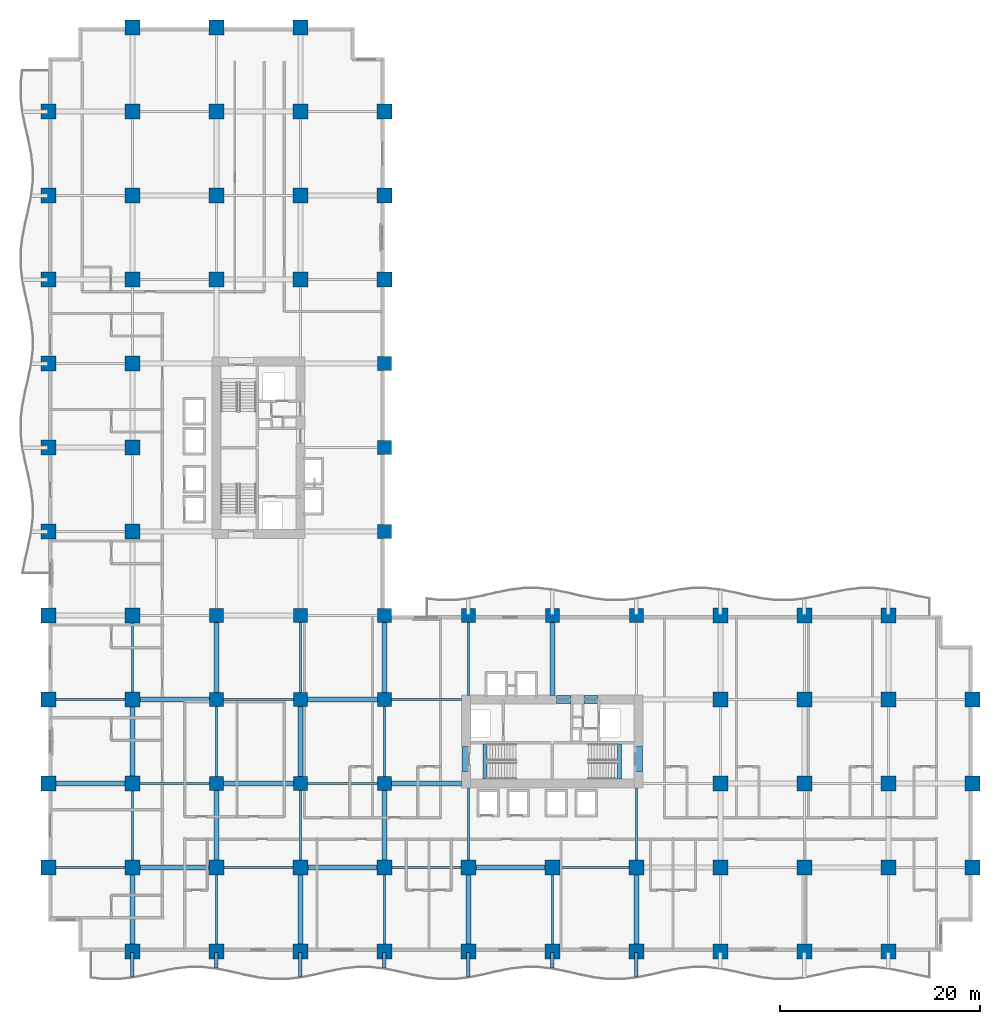
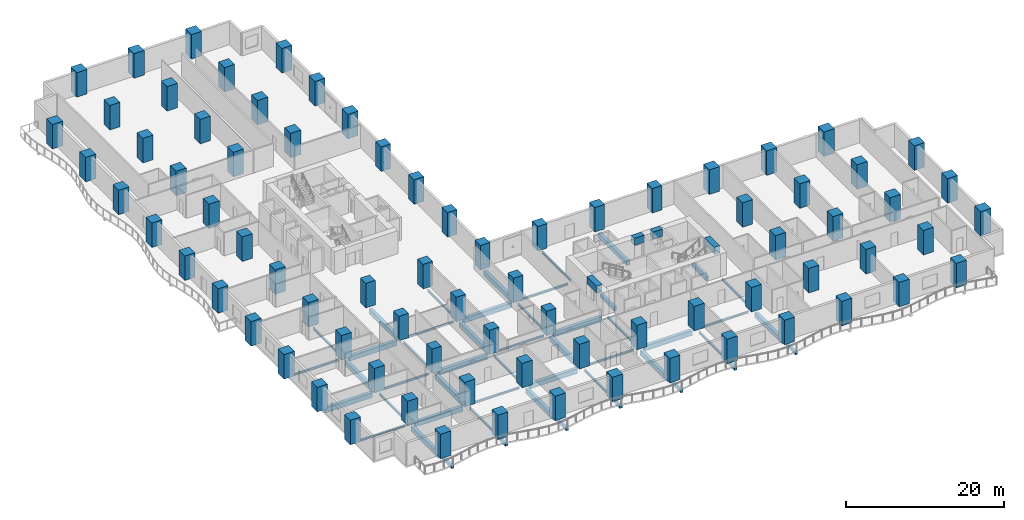
# One storey, part 1 of 22: 78 columns, 53 beams.
"""IFC4 building model written with IfcOpenShell, lengths in metres."""

from ifc_helpers import new_model, si_unit, direction, frame, origin, origin_2d, place, context, subcontext, project, spatial, rectangle, i_section, extrude, material, material_profile, profile_set, type_object, element, save


model = new_model("IFC4")

# Units and contexts
model_context = context("Model", 3, precision=1e-05, world=origin(), true_north=direction((0.0, 1.0)))
body_context = subcontext(model_context, "Body", "Model", "MODEL_VIEW")
ifc_project = project(units=[si_unit("LENGTHUNIT", "METRE"), si_unit("AREAUNIT", "SQUARE_METRE"), si_unit("VOLUMEUNIT", "CUBIC_METRE"), si_unit("PLANEANGLEUNIT", "RADIAN"), si_unit("MASSUNIT", "GRAM", prefix="KILO")], contexts=[model_context])

# Site, building, storey
site_placement = place(None, origin())
site = spatial("IfcSite", under=ifc_project, at=site_placement, CompositionType="ELEMENT")
building_placement = place(site_placement, origin())
building = spatial("IfcBuilding", under=site, at=building_placement, Name="Koriwani Terraces Tower", CompositionType="ELEMENT")
storey_placement = place(building_placement, frame((0.0, 0.0, 51.0)))
storey = spatial("IfcBuildingStorey", under=building, at=storey_placement, Name="L11", CompositionType="ELEMENT", Elevation=51.0)

# Columns
ifc_material_1 = material(Name="Concrete C60/75", Category="concrete")
ifc_material_profile_1 = material_profile(ifc_material_1, rectangle(XDim=1.39990234375, YDim=1.39990234375, at=origin_2d()), Name="Concrete C60/75", Category="LoadBearing")
ifc_profile_set_1 = profile_set([ifc_material_profile_1], Name="Concrete C60/75")
column_type_1 = type_object("IfcColumnType", Name="COL_RC_1400X1400", PredefinedType="COLUMN", material=ifc_profile_set_1)
for number, where, z_axis, x_axis, name in (
    (1, (16.800048828125, 16.800048828125, 0.0), (0.0, 0.0, 1.0), (1.0, 0.0, 0.0), "L11 Column 3/C"),
    (2, (16.800048828125, 25.199951171875, 0.0), (0.0, 0.0, 1.0), (1.0, 0.0, 0.0), "L11 Column 3/D"),
    (3, (16.800048828125, 33.60009765625, 0.0), (0.0, 0.0, 1.0), (1.0, 0.0, 0.0), "L11 Column 3/E"),
    (4, (25.199951171875, 16.800048828125, 0.0), (0.0, 0.0, 1.0), (1.0, 0.0, 0.0), "L11 Column 4/C"),
    (5, (25.199951171875, 25.199951171875, 0.0), (0.0, 0.0, 1.0), (1.0, 0.0, 0.0), "L11 Column 4/D"),
    (6, (25.199951171875, 33.60009765625, 0.0), (0.0, 0.0, 1.0), (1.0, 0.0, 0.0), "L11 Column 4/E"),
    (7, (33.60009765625, 16.800048828125, 0.0), (0.0, 0.0, 1.0), (1.0, 0.0, 0.0), "L11 Column 5/C"),
    (8, (33.60009765625, 25.199951171875, 0.0), (0.0, 0.0, 1.0), (1.0, 0.0, 0.0), "L11 Column 5/D"),
    (9, (33.60009765625, 33.60009765625, 0.0), (0.0, 0.0, 1.0), (1.0, 0.0, 0.0), "L11 Column 5/E"),
    (10, (33.60009765625, 42.0, 0.0), (0.0, 0.0, 1.0), (1.0, 0.0, 0.0), "L11 Column 5/F"),
    (11, (33.60009765625, 50.39990234375, 0.0), (0.0, 0.0, 1.0), (1.0, 0.0, 0.0), "L11 Column 5/G"),
    (12, (33.60009765625, 58.800048828125, 0.0), (0.0, 0.0, 1.0), (1.0, 0.0, 0.0), "L11 Column 5/H"),
    (13, (42.0, 33.60009765625, 0.0), (0.0, 0.0, 1.0), (1.0, 0.0, 0.0), "L11 Column 6/E"),
    (14, (50.39990234375, 33.60009765625, 0.0), (0.0, 0.0, 1.0), (1.0, 0.0, 0.0), "L11 Column 7/E"),
    (15, (58.800048828125, 33.60009765625, 0.0), (0.0, 0.0, 1.0), (1.0, 0.0, 0.0), "L11 Column 8/E"),
):
    element("IfcColumn", number, at=place(storey_placement, frame(where, z_axis=z_axis, x_axis=x_axis)), inside=storey, type_object=column_type_1, Name=name, PredefinedType="COLUMN", context=body_context, shape_type="SweptSolid", body=[
        extrude(rectangle(XDim=1.39990234375, YDim=1.39990234375, at=origin_2d()), origin(), (0.0, 0.0, 1.0), 3.800048828125),
    ])
ifc_material_profile_2 = material_profile(ifc_material_1, rectangle(XDim=1.5, YDim=1.5, at=origin_2d()), Name="Concrete C60/75", Category="LoadBearing")
ifc_profile_set_2 = profile_set([ifc_material_profile_2], Name="Concrete C60/75")
column_type_2 = type_object("IfcColumnType", Name="COL_RC_1500X1500", PredefinedType="COLUMN", material=ifc_profile_set_2)
for number, where, z_axis, x_axis, name in (
    (16, (0.0, 8.39990234375, 0.0), (0.0, 0.0, 1.0), (1.0, 0.0, 0.0), "L11 Column 1/B"),
    (17, (0.0, 16.800048828125, 0.0), (0.0, 0.0, 1.0), (1.0, 0.0, 0.0), "L11 Column 1/C"),
    (18, (0.0, 25.199951171875, 0.0), (0.0, 0.0, 1.0), (1.0, 0.0, 0.0), "L11 Column 1/D"),
    (19, (0.0, 33.60009765625, 0.0), (0.0, 0.0, 1.0), (1.0, 0.0, 0.0), "L11 Column 1/E"),
    (20, (0.0, 42.0, 0.0), (0.0, 0.0, 1.0), (1.0, 0.0, 0.0), "L11 Column 1/F"),
    (21, (0.0, 50.39990234375, 0.0), (0.0, 0.0, 1.0), (1.0, 0.0, 0.0), "L11 Column 1/G"),
    (22, (0.0, 58.800048828125, 0.0), (0.0, 0.0, 1.0), (1.0, 0.0, 0.0), "L11 Column 1/H"),
    (23, (0.0, 67.199951171875, 0.0), (0.0, 0.0, 1.0), (1.0, 0.0, 0.0), "L11 Column 1/I"),
    (24, (0.0, 75.60009765625, 0.0), (0.0, 0.0, 1.0), (1.0, 0.0, 0.0), "L11 Column 1/J"),
    (25, (0.0, 84.0, 0.0), (0.0, 0.0, 1.0), (1.0, 0.0, 0.0), "L11 Column 1/K"),
    (26, (8.39990234375, 0.0, 0.0), (0.0, 0.0, 1.0), (1.0, 0.0, 0.0), "L11 Column 2/A"),
    (27, (8.39990234375, 8.39990234375, 0.0), (0.0, 0.0, 1.0), (1.0, 0.0, 0.0), "L11 Column 2/B"),
    (28, (8.39990234375, 16.800048828125, 0.0), (0.0, 0.0, 1.0), (1.0, 0.0, 0.0), "L11 Column 2/C"),
    (29, (8.39990234375, 25.199951171875, 0.0), (0.0, 0.0, 1.0), (1.0, 0.0, 0.0), "L11 Column 2/D"),
    (30, (8.39990234375, 33.60009765625, 0.0), (0.0, 0.0, 1.0), (1.0, 0.0, 0.0), "L11 Column 2/E"),
    (31, (8.39990234375, 42.0, 0.0), (0.0, 0.0, 1.0), (1.0, 0.0, 0.0), "L11 Column 2/F"),
    (32, (8.39990234375, 50.39990234375, 0.0), (0.0, 0.0, 1.0), (1.0, 0.0, 0.0), "L11 Column 2/G"),
    (33, (8.39990234375, 58.800048828125, 0.0), (0.0, 0.0, 1.0), (1.0, 0.0, 0.0), "L11 Column 2/H"),
    (34, (8.39990234375, 67.199951171875, 0.0), (0.0, 0.0, 1.0), (1.0, 0.0, 0.0), "L11 Column 2/I"),
    (35, (8.39990234375, 75.60009765625, 0.0), (0.0, 0.0, 1.0), (1.0, 0.0, 0.0), "L11 Column 2/J"),
    (36, (8.39990234375, 84.0, 0.0), (0.0, 0.0, 1.0), (1.0, 0.0, 0.0), "L11 Column 2/K"),
    (37, (8.39990234375, 92.39990234375, 0.0), (0.0, 0.0, 1.0), (1.0, 0.0, 0.0), "L11 Column 2/L"),
    (38, (16.800048828125, 0.0, 0.0), (0.0, 0.0, 1.0), (1.0, 0.0, 0.0), "L11 Column 3/A"),
    (39, (16.800048828125, 8.39990234375, 0.0), (0.0, 0.0, 1.0), (1.0, 0.0, 0.0), "L11 Column 3/B"),
    (40, (16.800048828125, 67.199951171875, 0.0), (0.0, 0.0, 1.0), (1.0, 0.0, 0.0), "L11 Column 3/I"),
    (41, (16.800048828125, 75.60009765625, 0.0), (0.0, 0.0, 1.0), (1.0, 0.0, 0.0), "L11 Column 3/J"),
    (42, (16.800048828125, 84.0, 0.0), (0.0, 0.0, 1.0), (1.0, 0.0, 0.0), "L11 Column 3/K"),
    (43, (16.800048828125, 92.39990234375, 0.0), (0.0, 0.0, 1.0), (1.0, 0.0, 0.0), "L11 Column 3/L"),
    (44, (25.199951171875, 0.0, 0.0), (0.0, 0.0, 1.0), (1.0, 0.0, 0.0), "L11 Column 4/A"),
    (45, (25.199951171875, 8.39990234375, 0.0), (0.0, 0.0, 1.0), (1.0, 0.0, 0.0), "L11 Column 4/B"),
    (46, (25.199951171875, 67.199951171875, 0.0), (0.0, 0.0, 1.0), (1.0, 0.0, 0.0), "L11 Column 4/I"),
    (47, (25.199951171875, 75.60009765625, 0.0), (0.0, 0.0, 1.0), (1.0, 0.0, 0.0), "L11 Column 4/J"),
    (48, (25.199951171875, 84.0, 0.0), (0.0, 0.0, 1.0), (1.0, 0.0, 0.0), "L11 Column 4/K"),
    (49, (25.199951171875, 92.39990234375, 0.0), (0.0, 0.0, 1.0), (1.0, 0.0, 0.0), "L11 Column 4/L"),
    (50, (33.60009765625, 0.0, 0.0), (0.0, 0.0, 1.0), (1.0, 0.0, 0.0), "L11 Column 5/A"),
    (51, (33.60009765625, 8.39990234375, 0.0), (0.0, 0.0, 1.0), (1.0, 0.0, 0.0), "L11 Column 5/B"),
    (52, (33.60009765625, 67.199951171875, 0.0), (0.0, 0.0, 1.0), (1.0, 0.0, 0.0), "L11 Column 5/I"),
    (53, (33.60009765625, 75.60009765625, 0.0), (0.0, 0.0, 1.0), (1.0, 0.0, 0.0), "L11 Column 5/J"),
    (54, (33.60009765625, 84.0, 0.0), (0.0, 0.0, 1.0), (1.0, 0.0, 0.0), "L11 Column 5/K"),
    (55, (42.0, 0.0, 0.0), (0.0, 0.0, 1.0), (1.0, 0.0, 0.0), "L11 Column 6/A"),
    (56, (42.0, 8.39990234375, 0.0), (0.0, 0.0, 1.0), (1.0, 0.0, 0.0), "L11 Column 6/B"),
    (57, (50.39990234375, 0.0, 0.0), (0.0, 0.0, 1.0), (1.0, 0.0, 0.0), "L11 Column 7/A"),
    (58, (50.39990234375, 8.39990234375, 0.0), (0.0, 0.0, 1.0), (1.0, 0.0, 0.0), "L11 Column 7/B"),
    (59, (58.800048828125, 0.0, 0.0), (0.0, 0.0, 1.0), (1.0, 0.0, 0.0), "L11 Column 8/A"),
    (60, (58.800048828125, 8.39990234375, 0.0), (0.0, 0.0, 1.0), (1.0, 0.0, 0.0), "L11 Column 8/B"),
    (61, (67.199951171875, 0.0, 0.0), (0.0, 0.0, 1.0), (1.0, 0.0, 0.0), "L11 Column 9/A"),
    (62, (67.199951171875, 8.39990234375, 0.0), (0.0, 0.0, 1.0), (1.0, 0.0, 0.0), "L11 Column 9/B"),
    (63, (67.199951171875, 16.800048828125, 0.0), (0.0, 0.0, 1.0), (1.0, 0.0, 0.0), "L11 Column 9/C"),
    (64, (67.199951171875, 25.199951171875, 0.0), (0.0, 0.0, 1.0), (1.0, 0.0, 0.0), "L11 Column 9/D"),
    (65, (67.199951171875, 33.60009765625, 0.0), (0.0, 0.0, 1.0), (1.0, 0.0, 0.0), "L11 Column 9/E"),
    (66, (75.60009765625, 0.0, 0.0), (0.0, 0.0, 1.0), (1.0, 0.0, 0.0), "L11 Column 10/A"),
    (67, (75.60009765625, 8.39990234375, 0.0), (0.0, 0.0, 1.0), (1.0, 0.0, 0.0), "L11 Column 10/B"),
    (68, (75.60009765625, 16.800048828125, 0.0), (0.0, 0.0, 1.0), (1.0, 0.0, 0.0), "L11 Column 10/C"),
    (69, (75.60009765625, 25.199951171875, 0.0), (0.0, 0.0, 1.0), (1.0, 0.0, 0.0), "L11 Column 10/D"),
    (70, (75.60009765625, 33.60009765625, 0.0), (0.0, 0.0, 1.0), (1.0, 0.0, 0.0), "L11 Column 10/E"),
    (71, (84.0, 0.0, 0.0), (0.0, 0.0, 1.0), (1.0, 0.0, 0.0), "L11 Column 11/A"),
    (72, (84.0, 8.39990234375, 0.0), (0.0, 0.0, 1.0), (1.0, 0.0, 0.0), "L11 Column 11/B"),
    (73, (84.0, 16.800048828125, 0.0), (0.0, 0.0, 1.0), (1.0, 0.0, 0.0), "L11 Column 11/C"),
    (74, (84.0, 25.199951171875, 0.0), (0.0, 0.0, 1.0), (1.0, 0.0, 0.0), "L11 Column 11/D"),
    (75, (84.0, 33.60009765625, 0.0), (0.0, 0.0, 1.0), (1.0, 0.0, 0.0), "L11 Column 11/E"),
    (76, (92.39990234375, 8.39990234375, 0.0), (0.0, 0.0, 1.0), (1.0, 0.0, 0.0), "L11 Column 12/B"),
    (77, (92.39990234375, 16.800048828125, 0.0), (0.0, 0.0, 1.0), (1.0, 0.0, 0.0), "L11 Column 12/C"),
    (78, (92.39990234375, 25.199951171875, 0.0), (0.0, 0.0, 1.0), (1.0, 0.0, 0.0), "L11 Column 12/D"),
):
    element("IfcColumn", number, at=place(storey_placement, frame(where, z_axis=z_axis, x_axis=x_axis)), inside=storey, type_object=column_type_2, Name=name, PredefinedType="COLUMN", context=body_context, shape_type="SweptSolid", body=[
        extrude(rectangle(XDim=1.5, YDim=1.5, at=origin_2d()), origin(), (0.0, 0.0, 1.0), 3.800048828125),
    ])

# Beams
ifc_material_2 = material(Name="Concrete C40/50", Category="concrete")
ifc_material_profile_3 = material_profile(ifc_material_2, rectangle(XDim=0.35009765625, YDim=0.449951171875, at=origin_2d()), Name="Concrete C40/50", Category="LoadBearing")
ifc_profile_set_3 = profile_set([ifc_material_profile_3], Name="Concrete C40/50")
beam_type_1 = type_object("IfcBeamType", Name="BEAM_RC_BALCONY_RIB_350X450", PredefinedType="JOIST", material=ifc_profile_set_3)
beam_1_placement = place(storey_placement, frame((8.39990234375, -2.516845703125, -0.47509765625), z_axis=(0.0, 1.0, 0.0), x_axis=(-1.0, 0.0, 0.0)))
element("IfcBeam", 79, at=beam_1_placement, inside=storey, type_object=beam_type_1, Name="L11 Balcony Bracket Rib S-1", PredefinedType="JOIST", context=body_context, shape_type="SweptSolid", body=[
    extrude(rectangle(XDim=0.35009765625, YDim=0.449951171875, at=origin_2d()), origin(), (0.0, 0.0, 1.0), 2.416748046875),
])
beam_2_placement = place(storey_placement, frame((16.800048828125, -1.633056640625, -0.47509765625), z_axis=(0.0, 1.0, 0.0), x_axis=(-1.0, 0.0, 0.0)))
element("IfcBeam", 80, at=beam_2_placement, inside=storey, type_object=beam_type_1, Name="L11 Balcony Bracket Rib S-2", PredefinedType="JOIST", context=body_context, shape_type="SweptSolid", body=[
    extrude(rectangle(XDim=0.35009765625, YDim=0.449951171875, at=origin_2d()), origin(), (0.0, 0.0, 1.0), 1.532958984375),
])
beam_3_placement = place(storey_placement, frame((25.199951171875, -2.516845703125, -0.47509765625), z_axis=(0.0, 1.0, 0.0), x_axis=(-1.0, 0.0, 0.0)))
element("IfcBeam", 81, at=beam_3_placement, inside=storey, type_object=beam_type_1, Name="L11 Balcony Bracket Rib S-3", PredefinedType="JOIST", context=body_context, shape_type="SweptSolid", body=[
    extrude(rectangle(XDim=0.35009765625, YDim=0.449951171875, at=origin_2d()), origin(), (0.0, 0.0, 1.0), 2.416748046875),
])
beam_4_placement = place(storey_placement, frame((33.60009765625, -1.633056640625, -0.47509765625), z_axis=(0.0, 1.0, 0.0), x_axis=(-1.0, 0.0, 0.0)))
element("IfcBeam", 82, at=beam_4_placement, inside=storey, type_object=beam_type_1, Name="L11 Balcony Bracket Rib S-4", PredefinedType="JOIST", context=body_context, shape_type="SweptSolid", body=[
    extrude(rectangle(XDim=0.35009765625, YDim=0.449951171875, at=origin_2d()), origin(), (0.0, 0.0, 1.0), 1.532958984375),
])
beam_5_placement = place(storey_placement, frame((42.0, -2.516845703125, -0.47509765625), z_axis=(0.0, 1.0, 0.0), x_axis=(-1.0, 0.0, 0.0)))
element("IfcBeam", 83, at=beam_5_placement, inside=storey, type_object=beam_type_1, Name="L11 Balcony Bracket Rib S-5", PredefinedType="JOIST", context=body_context, shape_type="SweptSolid", body=[
    extrude(rectangle(XDim=0.35009765625, YDim=0.449951171875, at=origin_2d()), origin(), (0.0, 0.0, 1.0), 2.416748046875),
])
beam_6_placement = place(storey_placement, frame((50.39990234375, -1.633056640625, -0.47509765625), z_axis=(0.0, 1.0, 0.0), x_axis=(-1.0, 0.0, 0.0)))
element("IfcBeam", 84, at=beam_6_placement, inside=storey, type_object=beam_type_1, Name="L11 Balcony Bracket Rib S-6", PredefinedType="JOIST", context=body_context, shape_type="SweptSolid", body=[
    extrude(rectangle(XDim=0.35009765625, YDim=0.449951171875, at=origin_2d()), origin(), (0.0, 0.0, 1.0), 1.532958984375),
])
beam_7_placement = place(storey_placement, frame((58.800048828125, -2.516845703125, -0.47509765625), z_axis=(0.0, 1.0, 0.0), x_axis=(-1.0, 0.0, 0.0)))
element("IfcBeam", 85, at=beam_7_placement, inside=storey, type_object=beam_type_1, Name="L11 Balcony Bracket Rib S-7", PredefinedType="JOIST", context=body_context, shape_type="SweptSolid", body=[
    extrude(rectangle(XDim=0.35009765625, YDim=0.449951171875, at=origin_2d()), origin(), (0.0, 0.0, 1.0), 2.416748046875),
])
ifc_material_profile_4 = material_profile(ifc_material_1, rectangle(XDim=0.800048828125, YDim=1.10009765625, at=origin_2d()), Name="Concrete C60/75", Category="LoadBearing")
ifc_profile_set_4 = profile_set([ifc_material_profile_4], Name="Concrete C60/75")
beam_type_2 = type_object("IfcBeamType", Name="BEAM_RC_COUPLING_800X1100", PredefinedType="LINTEL", material=ifc_profile_set_4)
beam_8_placement = place(storey_placement, frame((50.800048828125, 25.199951171875, 3.0), z_axis=(1.0, 0.0, 0.0), x_axis=(0.0, 1.0, 0.0)))
element("IfcBeam", 86, at=beam_8_placement, inside=storey, type_object=beam_type_2, Name="L11 Core Coupling Lintel Beam EN1", PredefinedType="LINTEL", context=body_context, shape_type="SweptSolid", body=[
    extrude(rectangle(XDim=0.800048828125, YDim=1.10009765625, at=origin_2d()), origin(), (0.0, 0.0, 1.0), 1.47998046875),
])
beam_9_placement = place(storey_placement, frame((53.550048828125, 25.199951171875, 3.0), z_axis=(1.0, 0.0, 0.0), x_axis=(0.0, 1.0, 0.0)))
element("IfcBeam", 87, at=beam_9_placement, inside=storey, type_object=beam_type_2, Name="L11 Core Coupling Lintel Beam EN2", PredefinedType="LINTEL", context=body_context, shape_type="SweptSolid", body=[
    extrude(rectangle(XDim=0.800048828125, YDim=1.10009765625, at=origin_2d()), origin(), (0.0, 0.0, 1.0), 1.39990234375),
])
for number, where, z_axis, x_axis, name in (
    (88, (41.75, 18.0, 3.0), (0.0, 1.0, 0.0), (-1.0, 0.0, 0.0), "L11 Core Coupling Lintel Beam EW"),
    (89, (59.0, 18.0, 3.0), (0.0, 1.0, 0.0), (-1.0, 0.0, 0.0), "L11 Core Coupling Lintel Beam EE"),
):
    element("IfcBeam", number, at=place(storey_placement, frame(where, z_axis=z_axis, x_axis=x_axis)), inside=storey, type_object=beam_type_2, Name=name, PredefinedType="LINTEL", context=body_context, shape_type="SweptSolid", body=[
        extrude(rectangle(XDim=0.800048828125, YDim=1.10009765625, at=origin_2d()), origin(), (0.0, 0.0, 1.0), 2.5),
    ])
ifc_material_profile_5 = material_profile(ifc_material_2, rectangle(XDim=0.39990234375, YDim=0.60009765625, at=origin_2d()), Name="Concrete C40/50", Category="LoadBearing")
ifc_profile_set_5 = profile_set([ifc_material_profile_5], Name="Concrete C40/50")
beam_type_3 = type_object("IfcBeamType", Name="BEAM_RC_GRID_400X600", PredefinedType="BEAM", material=ifc_profile_set_5)
for number, where, z_axis, x_axis, name in (
    (90, (43.655029296875, 17.25, -0.300048828125), (0.0, 1.0, 0.0), (-1.0, 0.0, 0.0), "L11 Stairwell Header Trimmer Beam ST-E1"),
    (91, (57.094970703125, 17.25, -0.300048828125), (0.0, 1.0, 0.0), (-1.0, 0.0, 0.0), "L11 Stairwell Header Trimmer Beam ST-E2"),
):
    element("IfcBeam", number, at=place(storey_placement, frame(where, z_axis=z_axis, x_axis=x_axis)), inside=storey, type_object=beam_type_3, Name=name, PredefinedType="BEAM", context=body_context, shape_type="SweptSolid", body=[
        extrude(rectangle(XDim=0.39990234375, YDim=0.60009765625, at=origin_2d()), origin(), (0.0, 0.0, 1.0), 3.5),
    ])
ifc_material_3 = material(Name="Concrete C50/60", Category="concrete")
ifc_material_profile_6 = material_profile(ifc_material_3, rectangle(XDim=0.5, YDim=0.75, at=origin_2d()), Name="Concrete C50/60", Category="LoadBearing")
ifc_profile_set_6 = profile_set([ifc_material_profile_6], Name="Concrete C50/60")
beam_type_4 = type_object("IfcBeamType", Name="BEAM_RC_GRID_500X750", PredefinedType="BEAM", material=ifc_profile_set_6)
for number, where, z_axis, x_axis, name in (
    (92, (9.1298828125, 8.39990234375, -0.625), (1.0, 0.0, 0.0), (0.0, 1.0, 0.0), "L11 Grid Beam B (8.4-16.8m)"),
    (93, (25.929931640625, 8.39990234375, -0.625), (1.0, 0.0, 0.0), (0.0, 1.0, 0.0), "L11 Grid Beam B (25.2-33.6m)"),
):
    element("IfcBeam", number, at=place(storey_placement, frame(where, z_axis=z_axis, x_axis=x_axis)), inside=storey, type_object=beam_type_4, Name=name, PredefinedType="BEAM", context=body_context, shape_type="SweptSolid", body=[
        extrude(rectangle(XDim=0.5, YDim=0.75, at=origin_2d()), origin(), (0.0, 0.0, 1.0), 6.940185546875),
    ])
for number, where, z_axis, x_axis, name in (
    (94, (42.72998046875, 8.39990234375, -0.625), (1.0, 0.0, 0.0), (0.0, 1.0, 0.0), "L11 Grid Beam B (42.0-50.4m)"),
    (95, (0.72998046875, 16.800048828125, -0.625), (1.0, 0.0, 0.0), (0.0, 1.0, 0.0), "L11 Grid Beam C (0.0-8.4m)"),
):
    element("IfcBeam", number, at=place(storey_placement, frame(where, z_axis=z_axis, x_axis=x_axis)), inside=storey, type_object=beam_type_4, Name=name, PredefinedType="BEAM", context=body_context, shape_type="SweptSolid", body=[
        extrude(rectangle(XDim=0.5, YDim=0.75, at=origin_2d()), origin(), (0.0, 0.0, 1.0), 6.93994140625),
    ])
for number, where, z_axis, x_axis, name in (
    (96, (17.47998046875, 16.800048828125, -0.625), (1.0, 0.0, 0.0), (0.0, 1.0, 0.0), "L11 Grid Beam C (16.8-25.2m)"),
    (97, (34.280029296875, 16.800048828125, -0.625), (1.0, 0.0, 0.0), (0.0, 1.0, 0.0), "L11 Grid Beam C (33.6-42.0m)"),
):
    element("IfcBeam", number, at=place(storey_placement, frame(where, z_axis=z_axis, x_axis=x_axis)), inside=storey, type_object=beam_type_4, Name=name, PredefinedType="BEAM", context=body_context, shape_type="SweptSolid", body=[
        extrude(rectangle(XDim=0.5, YDim=0.75, at=origin_2d()), origin(), (0.0, 0.0, 1.0), 7.0400390625),
    ])
beam_10_placement = place(storey_placement, frame((9.1298828125, 25.199951171875, -0.625), z_axis=(1.0, 0.0, 0.0), x_axis=(0.0, 1.0, 0.0)))
element("IfcBeam", 98, at=beam_10_placement, inside=storey, type_object=beam_type_4, Name="L11 Grid Beam D (8.4-16.8m)", PredefinedType="BEAM", context=body_context, shape_type="SweptSolid", body=[
    extrude(rectangle(XDim=0.5, YDim=0.75, at=origin_2d()), origin(), (0.0, 0.0, 1.0), 6.990234375),
])
beam_11_placement = place(storey_placement, frame((25.8798828125, 25.199951171875, -0.625), z_axis=(1.0, 0.0, 0.0), x_axis=(0.0, 1.0, 0.0)))
element("IfcBeam", 99, at=beam_11_placement, inside=storey, type_object=beam_type_4, Name="L11 Grid Beam D (25.2-33.6m)", PredefinedType="BEAM", context=body_context, shape_type="SweptSolid", body=[
    extrude(rectangle(XDim=0.5, YDim=0.75, at=origin_2d()), origin(), (0.0, 0.0, 1.0), 7.0400390625),
])
for number, where, z_axis, x_axis, name in (
    (100, (8.39990234375, 0.72998046875, -0.625), (0.0, 1.0, 0.0), (-1.0, 0.0, 0.0), "L11 Grid Beam 2 (0.0-8.4m)"),
    (101, (8.39990234375, 17.530029296875, -0.625), (0.0, 1.0, 0.0), (-1.0, 0.0, 0.0), "L11 Grid Beam 2 (16.8-25.2m)"),
):
    element("IfcBeam", number, at=place(storey_placement, frame(where, z_axis=z_axis, x_axis=x_axis)), inside=storey, type_object=beam_type_4, Name=name, PredefinedType="BEAM", context=body_context, shape_type="SweptSolid", body=[
        extrude(rectangle(XDim=0.5, YDim=0.75, at=origin_2d()), origin(), (0.0, 0.0, 1.0), 6.93994140625),
    ])
beam_12_placement = place(storey_placement, frame((16.800048828125, 9.1298828125, -0.625), z_axis=(0.0, 1.0, 0.0), x_axis=(-1.0, 0.0, 0.0)))
element("IfcBeam", 102, at=beam_12_placement, inside=storey, type_object=beam_type_4, Name="L11 Grid Beam 3 (8.4-16.8m)", PredefinedType="BEAM", context=body_context, shape_type="SweptSolid", body=[
    extrude(rectangle(XDim=0.5, YDim=0.75, at=origin_2d()), origin(), (0.0, 0.0, 1.0), 6.990234375),
])
beam_13_placement = place(storey_placement, frame((16.800048828125, 25.8798828125, -0.625), z_axis=(0.0, 1.0, 0.0), x_axis=(-1.0, 0.0, 0.0)))
element("IfcBeam", 103, at=beam_13_placement, inside=storey, type_object=beam_type_4, Name="L11 Grid Beam 3 (25.2-33.6m)", PredefinedType="BEAM", context=body_context, shape_type="SweptSolid", body=[
    extrude(rectangle(XDim=0.5, YDim=0.75, at=origin_2d()), origin(), (0.0, 0.0, 1.0), 7.0400390625),
])
beam_14_placement = place(storey_placement, frame((25.199951171875, 0.72998046875, -0.625), z_axis=(0.0, 1.0, 0.0), x_axis=(-1.0, 0.0, 0.0)))
element("IfcBeam", 104, at=beam_14_placement, inside=storey, type_object=beam_type_4, Name="L11 Grid Beam 4 (0.0-8.4m)", PredefinedType="BEAM", context=body_context, shape_type="SweptSolid", body=[
    extrude(rectangle(XDim=0.5, YDim=0.75, at=origin_2d()), origin(), (0.0, 0.0, 1.0), 6.93994140625),
])
beam_15_placement = place(storey_placement, frame((25.199951171875, 17.47998046875, -0.625), z_axis=(0.0, 1.0, 0.0), x_axis=(-1.0, 0.0, 0.0)))
element("IfcBeam", 105, at=beam_15_placement, inside=storey, type_object=beam_type_4, Name="L11 Grid Beam 4 (16.8-25.2m)", PredefinedType="BEAM", context=body_context, shape_type="SweptSolid", body=[
    extrude(rectangle(XDim=0.5, YDim=0.75, at=origin_2d()), origin(), (0.0, 0.0, 1.0), 7.0400390625),
])
beam_16_placement = place(storey_placement, frame((33.60009765625, 9.1298828125, -0.625), z_axis=(0.0, 1.0, 0.0), x_axis=(-1.0, 0.0, 0.0)))
element("IfcBeam", 106, at=beam_16_placement, inside=storey, type_object=beam_type_4, Name="L11 Grid Beam 5 (8.4-16.8m)", PredefinedType="BEAM", context=body_context, shape_type="SweptSolid", body=[
    extrude(rectangle(XDim=0.5, YDim=0.75, at=origin_2d()), origin(), (0.0, 0.0, 1.0), 6.990234375),
])
beam_17_placement = place(storey_placement, frame((33.60009765625, 25.8798828125, -0.625), z_axis=(0.0, 1.0, 0.0), x_axis=(-1.0, 0.0, 0.0)))
element("IfcBeam", 107, at=beam_17_placement, inside=storey, type_object=beam_type_4, Name="L11 Grid Beam 5 (25.2-33.6m)", PredefinedType="BEAM", context=body_context, shape_type="SweptSolid", body=[
    extrude(rectangle(XDim=0.5, YDim=0.75, at=origin_2d()), origin(), (0.0, 0.0, 1.0), 7.0400390625),
])
beam_18_placement = place(storey_placement, frame((42.0, 0.72998046875, -0.625), z_axis=(0.0, 1.0, 0.0), x_axis=(-1.0, 0.0, 0.0)))
element("IfcBeam", 108, at=beam_18_placement, inside=storey, type_object=beam_type_4, Name="L11 Grid Beam 6 (0.0-8.4m)", PredefinedType="BEAM", context=body_context, shape_type="SweptSolid", body=[
    extrude(rectangle(XDim=0.5, YDim=0.75, at=origin_2d()), origin(), (0.0, 0.0, 1.0), 6.93994140625),
])
beam_19_placement = place(storey_placement, frame((50.39990234375, 25.6298828125, -0.625), z_axis=(0.0, 1.0, 0.0), x_axis=(-1.0, 0.0, 0.0)))
element("IfcBeam", 109, at=beam_19_placement, inside=storey, type_object=beam_type_4, Name="L11 Grid Beam 7 (25.2-33.6m)", PredefinedType="BEAM", context=body_context, shape_type="SweptSolid", body=[
    extrude(rectangle(XDim=0.5, YDim=0.75, at=origin_2d()), origin(), (0.0, 0.0, 1.0), 7.2900390625),
])
beam_20_placement = place(storey_placement, frame((58.800048828125, 0.72998046875, -0.625), z_axis=(0.0, 1.0, 0.0), x_axis=(-1.0, 0.0, 0.0)))
element("IfcBeam", 110, at=beam_20_placement, inside=storey, type_object=beam_type_4, Name="L11 Grid Beam 8 (0.0-8.4m)", PredefinedType="BEAM", context=body_context, shape_type="SweptSolid", body=[
    extrude(rectangle(XDim=0.5, YDim=0.75, at=origin_2d()), origin(), (0.0, 0.0, 1.0), 6.93994140625),
])
ifc_material_4 = material(Name="Steel ASTM A572 Grade 50", Category="steel")
ifc_material_profile_7 = material_profile(ifc_material_4, i_section(OverallWidth=0.205078125, OverallDepth=0.31005859375, WebThickness=0.009521484375, FlangeThickness=0.016357421875, at=origin_2d()), Name="Steel ASTM A572 Grade 50", Category="LoadBearing")
ifc_profile_set_7 = profile_set([ifc_material_profile_7], Name="Steel ASTM A572 Grade 50")
beam_type_5 = type_object("IfcBeamType", Name="STEEL_BEAM_W310X74", PredefinedType="JOIST", material=ifc_profile_set_7)
for number, where, z_axis, x_axis, name in (
    (111, (0.72998046875, 8.39990234375, -0.405029296875), (1.0, 0.0, 0.0), (0.0, 1.0, 0.0), "L11 Grid Beam B (0.0-8.4m)"),
    (112, (17.530029296875, 8.39990234375, -0.405029296875), (1.0, 0.0, 0.0), (0.0, 1.0, 0.0), "L11 Grid Beam B (16.8-25.2m)"),
    (113, (34.330078125, 8.39990234375, -0.405029296875), (1.0, 0.0, 0.0), (0.0, 1.0, 0.0), "L11 Grid Beam B (33.6-42.0m)"),
):
    element("IfcBeam", number, at=place(storey_placement, frame(where, z_axis=z_axis, x_axis=x_axis)), inside=storey, type_object=beam_type_5, Name=name, PredefinedType="JOIST", context=body_context, shape_type="SweptSolid", body=[
        extrude(i_section(OverallWidth=0.205078125, OverallDepth=0.31005859375, WebThickness=0.009521484375, FlangeThickness=0.016357421875, at=origin_2d()), origin(), (0.0, 0.0, 1.0), 6.93994140625),
    ])
beam_21_placement = place(storey_placement, frame((51.1298828125, 8.39990234375, -0.405029296875), z_axis=(1.0, 0.0, 0.0), x_axis=(0.0, 1.0, 0.0)))
element("IfcBeam", 114, at=beam_21_placement, inside=storey, type_object=beam_type_5, Name="L11 Grid Beam B (50.4-58.8m)", PredefinedType="JOIST", context=body_context, shape_type="SweptSolid", body=[
    extrude(i_section(OverallWidth=0.205078125, OverallDepth=0.31005859375, WebThickness=0.009521484375, FlangeThickness=0.016357421875, at=origin_2d()), origin(), (0.0, 0.0, 1.0), 6.940185546875),
])
beam_22_placement = place(storey_placement, frame((9.1298828125, 16.800048828125, -0.405029296875), z_axis=(1.0, 0.0, 0.0), x_axis=(0.0, 1.0, 0.0)))
element("IfcBeam", 115, at=beam_22_placement, inside=storey, type_object=beam_type_5, Name="L11 Grid Beam C (8.4-16.8m)", PredefinedType="JOIST", context=body_context, shape_type="SweptSolid", body=[
    extrude(i_section(OverallWidth=0.205078125, OverallDepth=0.31005859375, WebThickness=0.009521484375, FlangeThickness=0.016357421875, at=origin_2d()), origin(), (0.0, 0.0, 1.0), 6.990234375),
])
beam_23_placement = place(storey_placement, frame((25.8798828125, 16.800048828125, -0.405029296875), z_axis=(1.0, 0.0, 0.0), x_axis=(0.0, 1.0, 0.0)))
element("IfcBeam", 116, at=beam_23_placement, inside=storey, type_object=beam_type_5, Name="L11 Grid Beam C (25.2-33.6m)", PredefinedType="JOIST", context=body_context, shape_type="SweptSolid", body=[
    extrude(i_section(OverallWidth=0.205078125, OverallDepth=0.31005859375, WebThickness=0.009521484375, FlangeThickness=0.016357421875, at=origin_2d()), origin(), (0.0, 0.0, 1.0), 7.0400390625),
])
beam_24_placement = place(storey_placement, frame((0.72998046875, 25.199951171875, -0.405029296875), z_axis=(1.0, 0.0, 0.0), x_axis=(0.0, 1.0, 0.0)))
element("IfcBeam", 117, at=beam_24_placement, inside=storey, type_object=beam_type_5, Name="L11 Grid Beam D (0.0-8.4m)", PredefinedType="JOIST", context=body_context, shape_type="SweptSolid", body=[
    extrude(i_section(OverallWidth=0.205078125, OverallDepth=0.31005859375, WebThickness=0.009521484375, FlangeThickness=0.016357421875, at=origin_2d()), origin(), (0.0, 0.0, 1.0), 6.93994140625),
])
for number, where, z_axis, x_axis, name in (
    (118, (17.47998046875, 25.199951171875, -0.405029296875), (1.0, 0.0, 0.0), (0.0, 1.0, 0.0), "L11 Grid Beam D (16.8-25.2m)"),
    (119, (34.280029296875, 25.199951171875, -0.405029296875), (1.0, 0.0, 0.0), (0.0, 1.0, 0.0), "L11 Grid Beam D (33.6-42.0m)"),
):
    element("IfcBeam", number, at=place(storey_placement, frame(where, z_axis=z_axis, x_axis=x_axis)), inside=storey, type_object=beam_type_5, Name=name, PredefinedType="JOIST", context=body_context, shape_type="SweptSolid", body=[
        extrude(i_section(OverallWidth=0.205078125, OverallDepth=0.31005859375, WebThickness=0.009521484375, FlangeThickness=0.016357421875, at=origin_2d()), origin(), (0.0, 0.0, 1.0), 7.0400390625),
    ])
for number, where, z_axis, x_axis, name in (
    (120, (8.39990234375, 9.1298828125, -0.405029296875), (0.0, 1.0, 0.0), (-1.0, 0.0, 0.0), "L11 Grid Beam 2 (8.4-16.8m)"),
    (121, (8.39990234375, 25.929931640625, -0.405029296875), (0.0, 1.0, 0.0), (-1.0, 0.0, 0.0), "L11 Grid Beam 2 (25.2-33.6m)"),
):
    element("IfcBeam", number, at=place(storey_placement, frame(where, z_axis=z_axis, x_axis=x_axis)), inside=storey, type_object=beam_type_5, Name=name, PredefinedType="JOIST", context=body_context, shape_type="SweptSolid", body=[
        extrude(i_section(OverallWidth=0.205078125, OverallDepth=0.31005859375, WebThickness=0.009521484375, FlangeThickness=0.016357421875, at=origin_2d()), origin(), (0.0, 0.0, 1.0), 6.940185546875),
    ])
beam_25_placement = place(storey_placement, frame((16.800048828125, 0.72998046875, -0.405029296875), z_axis=(0.0, 1.0, 0.0), x_axis=(-1.0, 0.0, 0.0)))
element("IfcBeam", 122, at=beam_25_placement, inside=storey, type_object=beam_type_5, Name="L11 Grid Beam 3 (0.0-8.4m)", PredefinedType="JOIST", context=body_context, shape_type="SweptSolid", body=[
    extrude(i_section(OverallWidth=0.205078125, OverallDepth=0.31005859375, WebThickness=0.009521484375, FlangeThickness=0.016357421875, at=origin_2d()), origin(), (0.0, 0.0, 1.0), 6.93994140625),
])
beam_26_placement = place(storey_placement, frame((16.800048828125, 17.47998046875, -0.405029296875), z_axis=(0.0, 1.0, 0.0), x_axis=(-1.0, 0.0, 0.0)))
element("IfcBeam", 123, at=beam_26_placement, inside=storey, type_object=beam_type_5, Name="L11 Grid Beam 3 (16.8-25.2m)", PredefinedType="JOIST", context=body_context, shape_type="SweptSolid", body=[
    extrude(i_section(OverallWidth=0.205078125, OverallDepth=0.31005859375, WebThickness=0.009521484375, FlangeThickness=0.016357421875, at=origin_2d()), origin(), (0.0, 0.0, 1.0), 7.0400390625),
])
beam_27_placement = place(storey_placement, frame((25.199951171875, 9.1298828125, -0.405029296875), z_axis=(0.0, 1.0, 0.0), x_axis=(-1.0, 0.0, 0.0)))
element("IfcBeam", 124, at=beam_27_placement, inside=storey, type_object=beam_type_5, Name="L11 Grid Beam 4 (8.4-16.8m)", PredefinedType="JOIST", context=body_context, shape_type="SweptSolid", body=[
    extrude(i_section(OverallWidth=0.205078125, OverallDepth=0.31005859375, WebThickness=0.009521484375, FlangeThickness=0.016357421875, at=origin_2d()), origin(), (0.0, 0.0, 1.0), 6.990234375),
])
beam_28_placement = place(storey_placement, frame((25.199951171875, 25.8798828125, -0.405029296875), z_axis=(0.0, 1.0, 0.0), x_axis=(-1.0, 0.0, 0.0)))
element("IfcBeam", 125, at=beam_28_placement, inside=storey, type_object=beam_type_5, Name="L11 Grid Beam 4 (25.2-33.6m)", PredefinedType="JOIST", context=body_context, shape_type="SweptSolid", body=[
    extrude(i_section(OverallWidth=0.205078125, OverallDepth=0.31005859375, WebThickness=0.009521484375, FlangeThickness=0.016357421875, at=origin_2d()), origin(), (0.0, 0.0, 1.0), 7.0400390625),
])
beam_29_placement = place(storey_placement, frame((33.60009765625, 0.72998046875, -0.405029296875), z_axis=(0.0, 1.0, 0.0), x_axis=(-1.0, 0.0, 0.0)))
element("IfcBeam", 126, at=beam_29_placement, inside=storey, type_object=beam_type_5, Name="L11 Grid Beam 5 (0.0-8.4m)", PredefinedType="JOIST", context=body_context, shape_type="SweptSolid", body=[
    extrude(i_section(OverallWidth=0.205078125, OverallDepth=0.31005859375, WebThickness=0.009521484375, FlangeThickness=0.016357421875, at=origin_2d()), origin(), (0.0, 0.0, 1.0), 6.93994140625),
])
beam_30_placement = place(storey_placement, frame((33.60009765625, 17.47998046875, -0.405029296875), z_axis=(0.0, 1.0, 0.0), x_axis=(-1.0, 0.0, 0.0)))
element("IfcBeam", 127, at=beam_30_placement, inside=storey, type_object=beam_type_5, Name="L11 Grid Beam 5 (16.8-25.2m)", PredefinedType="JOIST", context=body_context, shape_type="SweptSolid", body=[
    extrude(i_section(OverallWidth=0.205078125, OverallDepth=0.31005859375, WebThickness=0.009521484375, FlangeThickness=0.016357421875, at=origin_2d()), origin(), (0.0, 0.0, 1.0), 7.0400390625),
])
beam_31_placement = place(storey_placement, frame((42.0, 9.1298828125, -0.405029296875), z_axis=(0.0, 1.0, 0.0), x_axis=(-1.0, 0.0, 0.0)))
element("IfcBeam", 128, at=beam_31_placement, inside=storey, type_object=beam_type_5, Name="L11 Grid Beam 6 (8.4-16.8m)", PredefinedType="JOIST", context=body_context, shape_type="SweptSolid", body=[
    extrude(i_section(OverallWidth=0.205078125, OverallDepth=0.31005859375, WebThickness=0.009521484375, FlangeThickness=0.016357421875, at=origin_2d()), origin(), (0.0, 0.0, 1.0), 7.240234375),
])
beam_32_placement = place(storey_placement, frame((42.0, 25.6298828125, -0.405029296875), z_axis=(0.0, 1.0, 0.0), x_axis=(-1.0, 0.0, 0.0)))
element("IfcBeam", 129, at=beam_32_placement, inside=storey, type_object=beam_type_5, Name="L11 Grid Beam 6 (25.2-33.6m)", PredefinedType="JOIST", context=body_context, shape_type="SweptSolid", body=[
    extrude(i_section(OverallWidth=0.205078125, OverallDepth=0.31005859375, WebThickness=0.009521484375, FlangeThickness=0.016357421875, at=origin_2d()), origin(), (0.0, 0.0, 1.0), 7.2900390625),
])
beam_33_placement = place(storey_placement, frame((50.39990234375, 0.72998046875, -0.405029296875), z_axis=(0.0, 1.0, 0.0), x_axis=(-1.0, 0.0, 0.0)))
element("IfcBeam", 130, at=beam_33_placement, inside=storey, type_object=beam_type_5, Name="L11 Grid Beam 7 (0.0-8.4m)", PredefinedType="JOIST", context=body_context, shape_type="SweptSolid", body=[
    extrude(i_section(OverallWidth=0.205078125, OverallDepth=0.31005859375, WebThickness=0.009521484375, FlangeThickness=0.016357421875, at=origin_2d()), origin(), (0.0, 0.0, 1.0), 6.93994140625),
])
beam_34_placement = place(storey_placement, frame((58.800048828125, 9.1298828125, -0.405029296875), z_axis=(0.0, 1.0, 0.0), x_axis=(-1.0, 0.0, 0.0)))
element("IfcBeam", 131, at=beam_34_placement, inside=storey, type_object=beam_type_5, Name="L11 Grid Beam 8 (8.4-16.8m)", PredefinedType="JOIST", context=body_context, shape_type="SweptSolid", body=[
    extrude(i_section(OverallWidth=0.205078125, OverallDepth=0.31005859375, WebThickness=0.009521484375, FlangeThickness=0.016357421875, at=origin_2d()), origin(), (0.0, 0.0, 1.0), 7.240234375),
])

save(model, "model.ifc")
